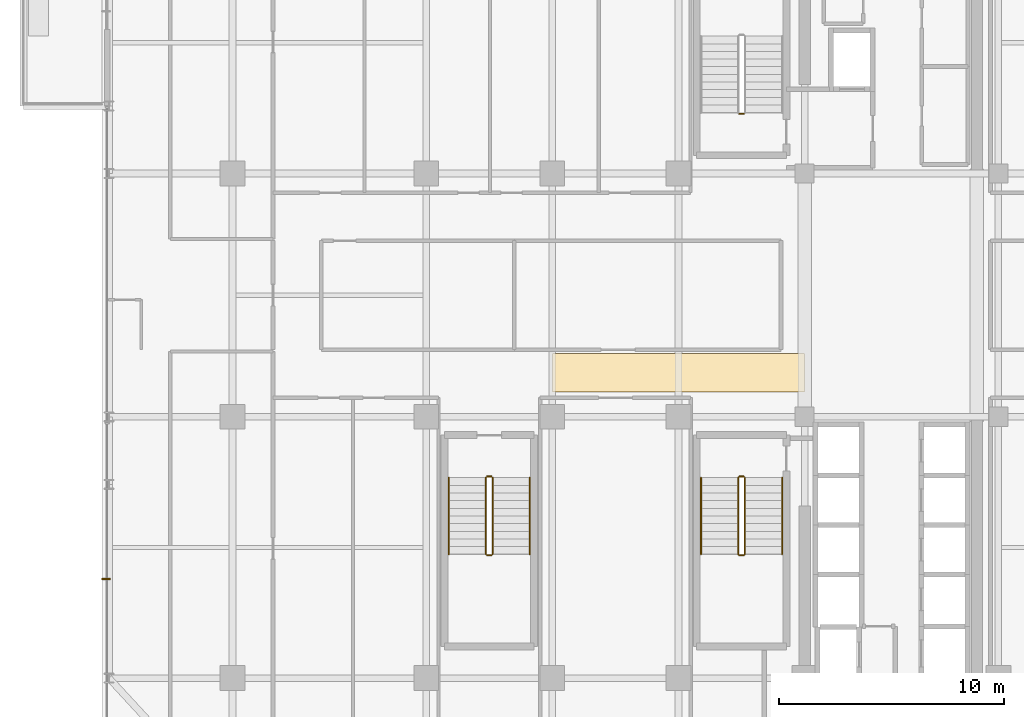
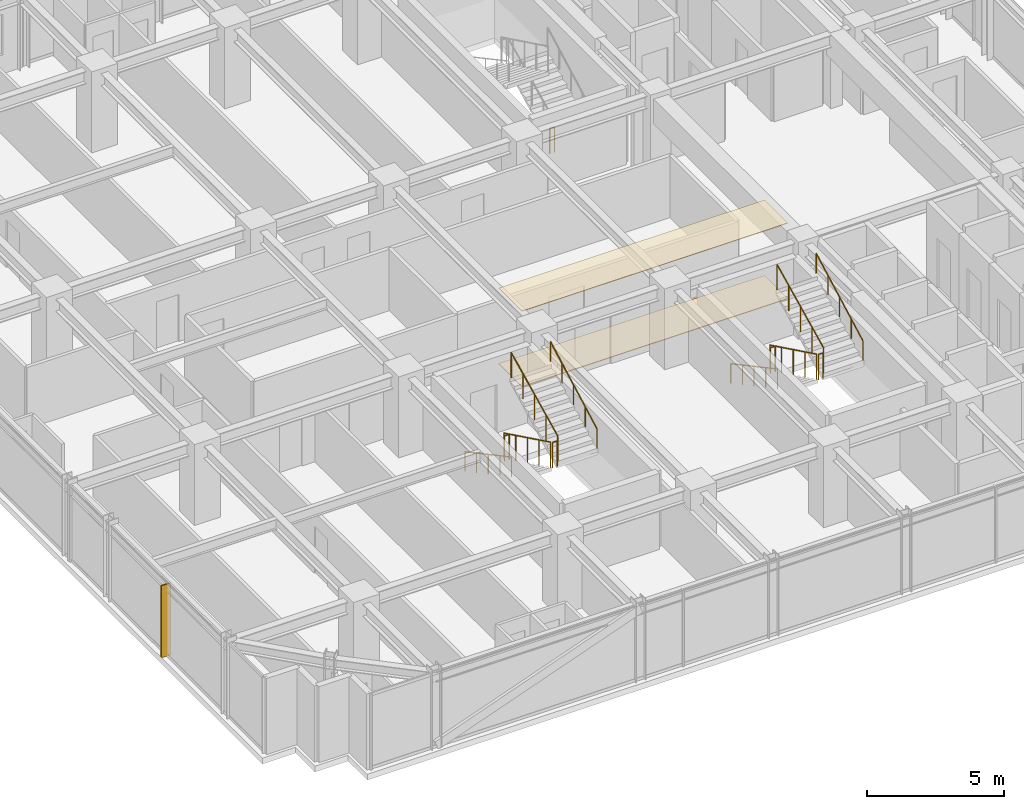
# One storey, part 30 of 32: 13 railings, 2 coverings, 1 shading device.
"""IFC4 building model written with IfcOpenShell, lengths in metres."""

from ifc_helpers import new_model, si_unit, direction, frame, origin, origin_2d, place, context, subcontext, project, spatial, polyline, rectangle, circle, outline, extrude, source, transform, mapped, material, layer, layer_set, type_object, element, save


model = new_model("IFC4")

# Units and contexts
model_context = context("Model", 3, precision=1e-05, world=origin(), true_north=direction((0.0, 1.0)))
body_context = subcontext(model_context, "Body", "Model", "MODEL_VIEW")
ifc_project = project(units=[si_unit("LENGTHUNIT", "METRE"), si_unit("AREAUNIT", "SQUARE_METRE"), si_unit("VOLUMEUNIT", "CUBIC_METRE"), si_unit("PLANEANGLEUNIT", "RADIAN"), si_unit("MASSUNIT", "GRAM", prefix="KILO")], contexts=[model_context])

# Site, building, storey
site_placement = place(None, origin())
site = spatial("IfcSite", under=ifc_project, at=site_placement, CompositionType="ELEMENT")
building_placement = place(site_placement, origin())
building = spatial("IfcBuilding", under=site, at=building_placement, Name="Nahalor Promenade Grand Hotel", CompositionType="ELEMENT")
storey_placement = place(building_placement, frame((0.0, 0.0, 152.64990234375)))
storey = spatial("IfcBuildingStorey", under=building, at=storey_placement, Name="L38", CompositionType="ELEMENT", Elevation=152.64990234375)

# Coverings
ifc_material_1 = material(Name="Acoustic Mineral Gypsum", Category="gypsum")
ifc_layer_1 = layer(ifc_material_1, 0.02490234375)
ifc_layer_set_1 = layer_set([ifc_layer_1], Name="Acoustic Mineral Gypsum")
covering_type_1 = type_object("IfcCoveringType", Name="Acoustic Suspended Ceiling Tile", PredefinedType="CEILING", material=ifc_layer_set_1)
covering_1_placement = place(storey_placement, frame((0.0, 0.0, 3.364990234375)))
element("IfcCovering", 1, at=covering_1_placement, inside=storey, type_object=covering_type_1, Name="CV-CEIL-L38", PredefinedType="CEILING", context=body_context, shape_type="SweptSolid", body=[
    extrude(outline(polyline([(-2.800048828125, -4.300048828125), (8.39990234375, -4.300048828125), (8.39990234375, -2.60009765625), (-2.800048828125, -2.60009765625), (-2.800048828125, -4.300048828125)])), origin(), (0.0, 0.0, 1.0), 0.025146484375),
])
ifc_material_2 = material(Name="Jerusalem Limestone Flooring", Category="masonry")
ifc_layer_2 = layer(ifc_material_2, 0.030029296875)
ifc_layer_set_2 = layer_set([ifc_layer_2], Name="Jerusalem Limestone Flooring")
covering_type_2 = type_object("IfcCoveringType", Name="Honed Limestone Floor Finish", PredefinedType="FLOORING", material=ifc_layer_set_2)
covering_2_placement = place(storey_placement, origin())
element("IfcCovering", 2, at=covering_2_placement, inside=storey, type_object=covering_type_2, Name="CV-FLOR-L38", PredefinedType="FLOORING", context=body_context, shape_type="SweptSolid", body=[
    extrude(outline(polyline([(-2.800048828125, -4.300048828125), (8.39990234375, -4.300048828125), (8.39990234375, -2.60009765625), (-2.800048828125, -2.60009765625), (-2.800048828125, -4.300048828125)])), origin(), (0.0, 0.0, 1.0), 0.030029296875),
])

# Railings
ifc_material_3 = material(Name="Steel S355JR", Category="steel")
railing_type_1 = type_object("IfcRailingType", Name="Steel Stair Guardrail 1150 mm", PredefinedType="GUARDRAIL", material=ifc_material_3)
railing_1_placement = place(storey_placement, frame((5.699951171875, 8.050048828125, 0.0)))
element("IfcRailing", 3, at=railing_1_placement, inside=storey, type_object=railing_type_1, Name="L38 ST1 stair guard 4", PredefinedType="GUARDRAIL", context=body_context, shape_type="SweptSolid", body=[
    extrude(circle(Radius=0.024048, at=origin_2d()), frame((0.0, 0.0, 1.1259765625), z_axis=(-1.0, 0.0, 0.0), x_axis=(0.0, -1.0, 0.0)), (0.0, 0.0, 1.0), 0.199951171875),
    extrude(circle(Radius=0.020996, at=origin_2d()), origin(), (0.0, 0.0, 1.0), 1.099853515625),
    extrude(circle(Radius=0.020996, at=origin_2d()), frame((-0.199951171875, 0.0, 0.0)), (0.0, 0.0, 1.0), 1.099853515625),
])
railing_2_placement = place(storey_placement, frame((5.449951171875, -8.10009765625, 0.166015625)))
element("IfcRailing", 4, at=railing_2_placement, inside=storey, type_object=railing_type_1, Name="L38 ST2 stair guard 1", PredefinedType="GUARDRAIL", context=body_context, shape_type="SweptSolid", body=[
    extrude(circle(Radius=0.024048, at=origin_2d()), frame((0.0, 0.0, 1.1259765625), z_axis=(0.0, -0.898696488221, 0.438571114028), x_axis=(1.0, 0.0, 0.0)), (0.0, 0.0, 1.0), 3.783203125),
    extrude(circle(Radius=0.020996, at=origin_2d()), origin(), (0.0, 0.0, 1.0), 1.099853515625),
    extrude(circle(Radius=0.020996, at=origin_2d()), frame((0.0, -0.85009765625, 0.414794921875)), (0.0, 0.0, 1.0), 1.099853515625),
    extrude(circle(Radius=0.020996, at=origin_2d()), frame((0.0, -1.699951171875, 0.82958984375)), (0.0, 0.0, 1.0), 1.099853515625),
    extrude(circle(Radius=0.020996, at=origin_2d()), frame((0.0, -2.5498046875, 1.244384765625)), (0.0, 0.0, 1.0), 1.099853515625),
    extrude(circle(Radius=0.020996, at=origin_2d()), frame((0.0, -3.39990234375, 1.6591796875)), (0.0, 0.0, 1.0), 1.099853515625),
])
railing_3_placement = place(storey_placement, frame((5.5, -11.550048828125, 1.8251953125)))
element("IfcRailing", 5, at=railing_3_placement, inside=storey, type_object=railing_type_1, Name="L38 ST2 stair guard 2", PredefinedType="GUARDRAIL", context=body_context, shape_type="SweptSolid", body=[
    extrude(circle(Radius=0.024048, at=origin_2d()), frame((0.0, 0.0, 1.1259765625), z_axis=(1.0, 0.0, 0.0), x_axis=(0.0, 1.0, 0.0)), (0.0, 0.0, 1.0), 0.199951171875),
    extrude(circle(Radius=0.020996, at=origin_2d()), origin(), (0.0, 0.0, 1.0), 1.099853515625),
    extrude(circle(Radius=0.020996, at=origin_2d()), frame((0.199951171875, 0.0, 0.0)), (0.0, 0.0, 1.0), 1.099853515625),
])
railing_4_placement = place(storey_placement, frame((5.75, -11.5, 1.990966796875)))
element("IfcRailing", 6, at=railing_4_placement, inside=storey, type_object=railing_type_1, Name="L38 ST2 stair guard 3", PredefinedType="GUARDRAIL", context=body_context, shape_type="SweptSolid", body=[
    extrude(circle(Radius=0.024048, at=origin_2d()), frame((0.0, 0.0, 1.1259765625), z_axis=(0.0, 0.898696488221, 0.438571114028), x_axis=(-1.0, 0.0, 0.0)), (0.0, 0.0, 1.0), 3.783203125),
    extrude(circle(Radius=0.020996, at=origin_2d()), origin(), (0.0, 0.0, 1.0), 1.099853515625),
    extrude(circle(Radius=0.020996, at=origin_2d()), frame((0.0, 0.85009765625, 0.414794921875)), (0.0, 0.0, 1.0), 1.099853515625),
    extrude(circle(Radius=0.020996, at=origin_2d()), frame((0.0, 1.699951171875, 0.82958984375)), (0.0, 0.0, 1.0), 1.099853515625),
    extrude(circle(Radius=0.020996, at=origin_2d()), frame((0.0, 2.5498046875, 1.244384765625)), (0.0, 0.0, 1.0), 1.099853515625),
    extrude(circle(Radius=0.020996, at=origin_2d()), frame((0.0, 3.39990234375, 1.6591796875)), (0.0, 0.0, 1.0), 1.099853515625),
])
railing_5_placement = place(storey_placement, frame((5.5, -8.050048828125, 0.0)))
element("IfcRailing", 7, at=railing_5_placement, inside=storey, type_object=railing_type_1, Name="L38 ST2 stair guard 4", PredefinedType="GUARDRAIL", context=body_context, shape_type="SweptSolid", body=[
    extrude(circle(Radius=0.024048, at=origin_2d()), frame((0.0, 0.0, 1.1259765625), z_axis=(1.0, 0.0, 0.0), x_axis=(0.0, 1.0, 0.0)), (0.0, 0.0, 1.0), 0.199951171875),
    extrude(circle(Radius=0.020996, at=origin_2d()), origin(), (0.0, 0.0, 1.0), 1.099853515625),
    extrude(circle(Radius=0.020996, at=origin_2d()), frame((0.199951171875, 0.0, 0.0)), (0.0, 0.0, 1.0), 1.099853515625),
])
railing_6_placement = place(storey_placement, frame((-5.75, -8.10009765625, 0.166015625)))
element("IfcRailing", 8, at=railing_6_placement, inside=storey, type_object=railing_type_1, Name="L38 ST3 stair guard 1", PredefinedType="GUARDRAIL", context=body_context, shape_type="SweptSolid", body=[
    extrude(circle(Radius=0.024048, at=origin_2d()), frame((0.0, 0.0, 1.1259765625), z_axis=(0.0, -0.898696488221, 0.438571114028), x_axis=(1.0, 0.0, 0.0)), (0.0, 0.0, 1.0), 3.783203125),
    extrude(circle(Radius=0.020996, at=origin_2d()), origin(), (0.0, 0.0, 1.0), 1.099853515625),
    extrude(circle(Radius=0.020996, at=origin_2d()), frame((0.0, -0.85009765625, 0.414794921875)), (0.0, 0.0, 1.0), 1.099853515625),
    extrude(circle(Radius=0.020996, at=origin_2d()), frame((0.0, -1.699951171875, 0.82958984375)), (0.0, 0.0, 1.0), 1.099853515625),
    extrude(circle(Radius=0.020996, at=origin_2d()), frame((0.0, -2.5498046875, 1.244384765625)), (0.0, 0.0, 1.0), 1.099853515625),
    extrude(circle(Radius=0.020996, at=origin_2d()), frame((0.0, -3.39990234375, 1.6591796875)), (0.0, 0.0, 1.0), 1.099853515625),
])
railing_7_placement = place(storey_placement, frame((-5.699951171875, -11.550048828125, 1.8251953125)))
element("IfcRailing", 9, at=railing_7_placement, inside=storey, type_object=railing_type_1, Name="L38 ST3 stair guard 2", PredefinedType="GUARDRAIL", context=body_context, shape_type="SweptSolid", body=[
    extrude(circle(Radius=0.024048, at=origin_2d()), frame((0.0, 0.0, 1.1259765625), z_axis=(1.0, 0.0, 0.0), x_axis=(0.0, 1.0, 0.0)), (0.0, 0.0, 1.0), 0.199951171875),
    extrude(circle(Radius=0.020996, at=origin_2d()), origin(), (0.0, 0.0, 1.0), 1.099853515625),
    extrude(circle(Radius=0.020996, at=origin_2d()), frame((0.199951171875, 0.0, 0.0)), (0.0, 0.0, 1.0), 1.099853515625),
])
railing_8_placement = place(storey_placement, frame((-5.449951171875, -11.5, 1.990966796875)))
element("IfcRailing", 10, at=railing_8_placement, inside=storey, type_object=railing_type_1, Name="L38 ST3 stair guard 3", PredefinedType="GUARDRAIL", context=body_context, shape_type="SweptSolid", body=[
    extrude(circle(Radius=0.024048, at=origin_2d()), frame((0.0, 0.0, 1.1259765625), z_axis=(0.0, 0.898696488221, 0.438571114028), x_axis=(-1.0, 0.0, 0.0)), (0.0, 0.0, 1.0), 3.783203125),
    extrude(circle(Radius=0.020996, at=origin_2d()), origin(), (0.0, 0.0, 1.0), 1.099853515625),
    extrude(circle(Radius=0.020996, at=origin_2d()), frame((0.0, 0.85009765625, 0.414794921875)), (0.0, 0.0, 1.0), 1.099853515625),
    extrude(circle(Radius=0.020996, at=origin_2d()), frame((0.0, 1.699951171875, 0.82958984375)), (0.0, 0.0, 1.0), 1.099853515625),
    extrude(circle(Radius=0.020996, at=origin_2d()), frame((0.0, 2.5498046875, 1.244384765625)), (0.0, 0.0, 1.0), 1.099853515625),
    extrude(circle(Radius=0.020996, at=origin_2d()), frame((0.0, 3.39990234375, 1.6591796875)), (0.0, 0.0, 1.0), 1.099853515625),
])
railing_9_placement = place(storey_placement, frame((-5.699951171875, -8.050048828125, 0.0)))
element("IfcRailing", 11, at=railing_9_placement, inside=storey, type_object=railing_type_1, Name="L38 ST3 stair guard 4", PredefinedType="GUARDRAIL", context=body_context, shape_type="SweptSolid", body=[
    extrude(circle(Radius=0.024048, at=origin_2d()), frame((0.0, 0.0, 1.1259765625), z_axis=(1.0, 0.0, 0.0), x_axis=(0.0, 1.0, 0.0)), (0.0, 0.0, 1.0), 0.199951171875),
    extrude(circle(Radius=0.020996, at=origin_2d()), origin(), (0.0, 0.0, 1.0), 1.099853515625),
    extrude(circle(Radius=0.020996, at=origin_2d()), frame((0.199951171875, 0.0, 0.0)), (0.0, 0.0, 1.0), 1.099853515625),
])
railing_type_2 = type_object("IfcRailingType", Name="Steel Stair Handrail 900 mm", PredefinedType="HANDRAIL", material=ifc_material_3)
railing_10_placement = place(storey_placement, frame((3.800048828125, -8.10009765625, 0.166015625)))
element("IfcRailing", 12, at=railing_10_placement, inside=storey, type_object=railing_type_2, Name="L38 ST2 stair handrail 1", PredefinedType="HANDRAIL", context=body_context, shape_type="SweptSolid", body=[
    extrude(circle(Radius=0.024048, at=origin_2d()), frame((0.0, 0.0, 0.8759765625), z_axis=(0.0, -0.881094038095, 0.47294111265), x_axis=(1.0, 0.0, 0.0)), (0.0, 0.0, 1.0), 3.858642578125),
    extrude(circle(Radius=0.020996, at=origin_2d()), origin(), (0.0, 0.0, 1.0), 0.849853515625),
    extrude(circle(Radius=0.020996, at=origin_2d()), frame((0.0, -0.85009765625, 0.456298828125)), (0.0, 0.0, 1.0), 0.849853515625),
    extrude(circle(Radius=0.020996, at=origin_2d()), frame((0.0, -1.699951171875, 0.91259765625)), (0.0, 0.0, 1.0), 0.849853515625),
    extrude(circle(Radius=0.020996, at=origin_2d()), frame((0.0, -2.5498046875, 1.36865234375)), (0.0, 0.0, 1.0), 0.849853515625),
    extrude(circle(Radius=0.020996, at=origin_2d()), frame((0.0, -3.39990234375, 1.824951171875)), (0.0, 0.0, 1.0), 0.849853515625),
])
railing_11_placement = place(storey_placement, frame((7.39990234375, -11.5, 1.990966796875)))
element("IfcRailing", 13, at=railing_11_placement, inside=storey, type_object=railing_type_2, Name="L38 ST2 stair handrail 2", PredefinedType="HANDRAIL", context=body_context, shape_type="SweptSolid", body=[
    extrude(circle(Radius=0.024048, at=origin_2d()), frame((0.0, 0.0, 0.8759765625), z_axis=(0.0, 0.881094038095, 0.47294111265), x_axis=(-1.0, 0.0, 0.0)), (0.0, 0.0, 1.0), 3.858642578125),
    extrude(circle(Radius=0.020996, at=origin_2d()), origin(), (0.0, 0.0, 1.0), 0.849853515625),
    extrude(circle(Radius=0.020996, at=origin_2d()), frame((0.0, 0.85009765625, 0.456298828125)), (0.0, 0.0, 1.0), 0.849853515625),
    extrude(circle(Radius=0.020996, at=origin_2d()), frame((0.0, 1.699951171875, 0.91259765625)), (0.0, 0.0, 1.0), 0.849853515625),
    extrude(circle(Radius=0.020996, at=origin_2d()), frame((0.0, 2.5498046875, 1.36865234375)), (0.0, 0.0, 1.0), 0.849853515625),
    extrude(circle(Radius=0.020996, at=origin_2d()), frame((0.0, 3.39990234375, 1.824951171875)), (0.0, 0.0, 1.0), 0.849853515625),
])
railing_12_placement = place(storey_placement, frame((-7.39990234375, -8.10009765625, 0.166015625)))
element("IfcRailing", 14, at=railing_12_placement, inside=storey, type_object=railing_type_2, Name="L38 ST3 stair handrail 1", PredefinedType="HANDRAIL", context=body_context, shape_type="SweptSolid", body=[
    extrude(circle(Radius=0.024048, at=origin_2d()), frame((0.0, 0.0, 0.8759765625), z_axis=(0.0, -0.881094038095, 0.47294111265), x_axis=(1.0, 0.0, 0.0)), (0.0, 0.0, 1.0), 3.858642578125),
    extrude(circle(Radius=0.020996, at=origin_2d()), origin(), (0.0, 0.0, 1.0), 0.849853515625),
    extrude(circle(Radius=0.020996, at=origin_2d()), frame((0.0, -0.85009765625, 0.456298828125)), (0.0, 0.0, 1.0), 0.849853515625),
    extrude(circle(Radius=0.020996, at=origin_2d()), frame((0.0, -1.699951171875, 0.91259765625)), (0.0, 0.0, 1.0), 0.849853515625),
    extrude(circle(Radius=0.020996, at=origin_2d()), frame((0.0, -2.5498046875, 1.36865234375)), (0.0, 0.0, 1.0), 0.849853515625),
    extrude(circle(Radius=0.020996, at=origin_2d()), frame((0.0, -3.39990234375, 1.824951171875)), (0.0, 0.0, 1.0), 0.849853515625),
])
railing_13_placement = place(storey_placement, frame((-3.800048828125, -11.5, 1.990966796875)))
element("IfcRailing", 15, at=railing_13_placement, inside=storey, type_object=railing_type_2, Name="L38 ST3 stair handrail 2", PredefinedType="HANDRAIL", context=body_context, shape_type="SweptSolid", body=[
    extrude(circle(Radius=0.024048, at=origin_2d()), frame((0.0, 0.0, 0.8759765625), z_axis=(0.0, 0.881094038095, 0.47294111265), x_axis=(-1.0, 0.0, 0.0)), (0.0, 0.0, 1.0), 3.858642578125),
    extrude(circle(Radius=0.020996, at=origin_2d()), origin(), (0.0, 0.0, 1.0), 0.849853515625),
    extrude(circle(Radius=0.020996, at=origin_2d()), frame((0.0, 0.85009765625, 0.456298828125)), (0.0, 0.0, 1.0), 0.849853515625),
    extrude(circle(Radius=0.020996, at=origin_2d()), frame((0.0, 1.699951171875, 0.91259765625)), (0.0, 0.0, 1.0), 0.849853515625),
    extrude(circle(Radius=0.020996, at=origin_2d()), frame((0.0, 2.5498046875, 1.36865234375)), (0.0, 0.0, 1.0), 0.849853515625),
    extrude(circle(Radius=0.020996, at=origin_2d()), frame((0.0, 3.39990234375, 1.824951171875)), (0.0, 0.0, 1.0), 0.849853515625),
])

# Shading device
ifc_material_4 = material(Name="Anodised Bronze Aluminium EN AW-6063 T6", Category="aluminium")
ifc_layer_3 = layer(ifc_material_4, 0.06005859375)
ifc_layer_set_3 = layer_set([ifc_layer_3], Name="Anodised Bronze Aluminium EN AW-6063 T6")
shading_device_type = type_object("IfcShadingDeviceType", Name="Shade-SolarFin-Bronze", PredefinedType="JALOUSIE", material=ifc_layer_set_3)
shared_shape = source(origin(), body_context, "Body", "SweptSolid", [
    extrude(rectangle(XDim=0.3798828125, YDim=0.06005859375, at=origin_2d()), origin(), (0.0, 0.0, 1.0), 3.199951171875),
])
shading_device_placement = place(storey_placement, frame((-22.610107421875, -12.60009765625, 0.0), z_axis=(0.0, 0.0, 1.0), x_axis=(1.0, 0.0, 0.0)))
element("IfcShadingDevice", 16, at=shading_device_placement, inside=storey, type_object=shading_device_type, Name="JAL-L38-W1", PredefinedType="JALOUSIE", context=body_context, shape_type="MappedRepresentation", body=[
    mapped(shared_shape, transform((0.0, 0.0, 0.0), scale=1.0)),
])

save(model, "model.ifc")
